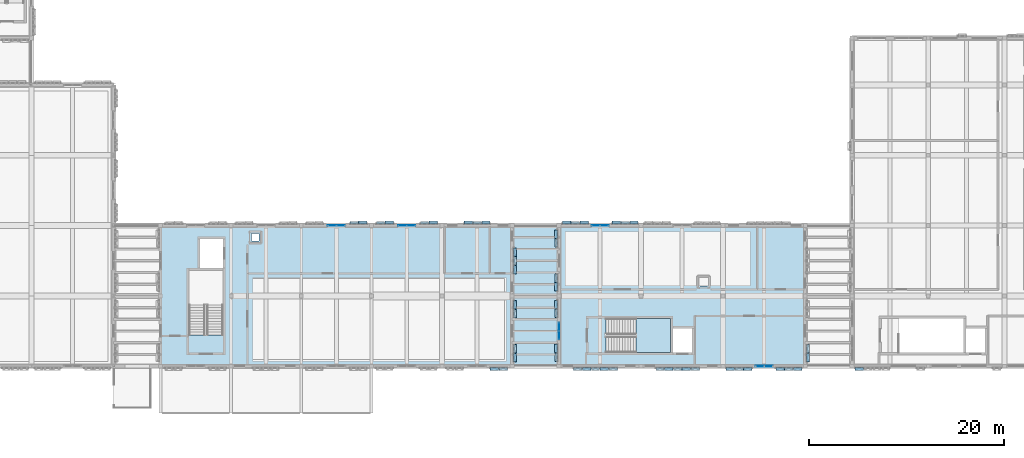
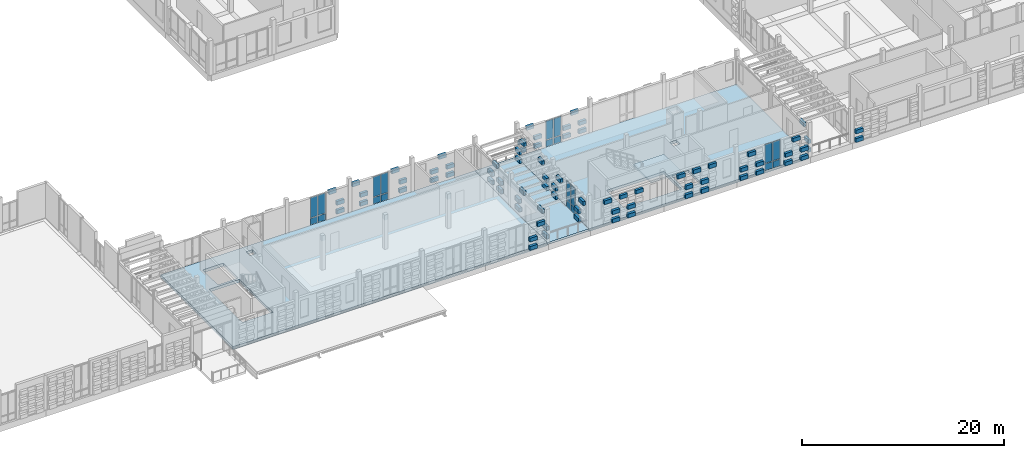
# One storey, part 48 of 99: 99 plates, 4 slabs, 6 elements without a shape of their own.
"""IFC4 building model written with IfcOpenShell, lengths in metres."""

from ifc_helpers import new_model, si_unit, direction, frame, origin, origin_2d, place, context, subcontext, project, spatial, polyline, rectangle, outline, extrude, material, layer, layer_set, type_object, element, aggregate, save


model = new_model("IFC4")

# Units and contexts
model_context = context("Model", 3, precision=1e-05, world=origin(), true_north=direction((0.0, 1.0)))
body_context = subcontext(model_context, "Body", "Model", "MODEL_VIEW")
ifc_project = project(units=[si_unit("LENGTHUNIT", "METRE"), si_unit("AREAUNIT", "SQUARE_METRE"), si_unit("VOLUMEUNIT", "CUBIC_METRE"), si_unit("PLANEANGLEUNIT", "RADIAN"), si_unit("MASSUNIT", "GRAM", prefix="KILO")], contexts=[model_context])

# Site, building, storey
site_placement = place(None, origin())
site = spatial("IfcSite", under=ifc_project, at=site_placement, CompositionType="ELEMENT")
building_placement = place(site_placement, origin())
building = spatial("IfcBuilding", under=site, at=building_placement, Name="Kahlenmark Community Centre", CompositionType="ELEMENT")
storey_placement = place(building_placement, frame((0.0, 0.0, 5.39990234375)))
storey = spatial("IfcBuildingStorey", under=building, at=storey_placement, Name="L01", CompositionType="ELEMENT", Elevation=5.39990234375)

# Curtain wall, plates
ifc_material_1 = material(Name="Anodised aluminium unitised curtain wall", Category="aluminium")
curtain_wall_type_1 = type_object("IfcCurtainWallType", Name="CWT-UNIT-180X321", PredefinedType="USERDEFINED", material=ifc_material_1)
curtain_wall_1_placement = place(storey_placement, origin())
curtain_wall_1 = element("IfcCurtainWall", 1, at=curtain_wall_1_placement, inside=storey, type_object=curtain_wall_type_1, Name="Unitised curtain wall CW-046", ObjectType="UNITISED CURTAIN WALL", PredefinedType="USERDEFINED")
ifc_material_2 = material(Name="Triple low-e solar-control glass unit", Category="glass")
ifc_layer_1 = layer(ifc_material_2, 0.0439453125)
ifc_layer_set_1 = layer_set([ifc_layer_1], Name="Triple low-e solar-control glass unit")
plate_type_1 = type_object("IfcPlateType", Name="PLT-CW-GLZ-820X2280", PredefinedType="CURTAIN_PANEL", material=ifc_layer_set_1)
plate_1_placement = place(storey_placement, frame((112.14990234375, 8.800048828125, 0.89013671875), z_axis=(0.0, 0.0, 1.0), x_axis=(1.0, 0.0, 0.0)))
plate_1 = element("IfcPlate", 2, at=plate_1_placement, type_object=plate_type_1, Name="CW-046 glazed panel 1", PredefinedType="CURTAIN_PANEL", context=body_context, shape_type="SweptSolid", body=[
    extrude(rectangle(XDim=0.820068359375, YDim=0.0439453125, at=origin_2d()), origin(), (0.0, 0.0, 1.0), 2.280029296875),
])
plate_2_placement = place(storey_placement, frame((113.050048828125, 8.800048828125, 0.89013671875), z_axis=(0.0, 0.0, 1.0), x_axis=(1.0, 0.0, 0.0)))
plate_2 = element("IfcPlate", 3, at=plate_2_placement, type_object=plate_type_1, Name="CW-046 glazed panel 2", PredefinedType="CURTAIN_PANEL", context=body_context, shape_type="SweptSolid", body=[
    extrude(rectangle(XDim=0.820068359375, YDim=0.0439453125, at=origin_2d()), origin(), (0.0, 0.0, 1.0), 2.280029296875),
])

curtain_wall_2_placement = place(storey_placement, origin())
curtain_wall_2 = element("IfcCurtainWall", 4, at=curtain_wall_2_placement, inside=storey, type_object=curtain_wall_type_1, Name="Unitised curtain wall CW-047", ObjectType="UNITISED CURTAIN WALL", PredefinedType="USERDEFINED")
plate_3_placement = place(storey_placement, frame((96.25, 23.199951171875, 0.89013671875), z_axis=(0.0, 0.0, 1.0), x_axis=(-1.0, 0.0, 0.0)))
plate_3 = element("IfcPlate", 5, at=plate_3_placement, type_object=plate_type_1, Name="CW-047 glazed panel 1", PredefinedType="CURTAIN_PANEL", context=body_context, shape_type="SweptSolid", body=[
    extrude(rectangle(XDim=0.820068359375, YDim=0.0439453125, at=origin_2d()), origin(), (0.0, 0.0, 1.0), 2.280029296875),
])
plate_4_placement = place(storey_placement, frame((95.35009765625, 23.199951171875, 0.89013671875), z_axis=(0.0, 0.0, 1.0), x_axis=(-1.0, 0.0, 0.0)))
plate_4 = element("IfcPlate", 6, at=plate_4_placement, type_object=plate_type_1, Name="CW-047 glazed panel 2", PredefinedType="CURTAIN_PANEL", context=body_context, shape_type="SweptSolid", body=[
    extrude(rectangle(XDim=0.820068359375, YDim=0.0439453125, at=origin_2d()), origin(), (0.0, 0.0, 1.0), 2.280029296875),
])

curtain_wall_3_placement = place(storey_placement, origin())
curtain_wall_3 = element("IfcCurtainWall", 7, at=curtain_wall_3_placement, inside=storey, type_object=curtain_wall_type_1, Name="Unitised curtain wall CW-049", ObjectType="UNITISED CURTAIN WALL", PredefinedType="USERDEFINED")
plate_5_placement = place(storey_placement, frame((91.60009765625, 12.85009765625, 0.89013671875), z_axis=(0.0, 0.0, 1.0), x_axis=(0.0, -1.0, 0.0)))
plate_5 = element("IfcPlate", 8, at=plate_5_placement, type_object=plate_type_1, Name="CW-049 glazed panel 1", PredefinedType="CURTAIN_PANEL", context=body_context, shape_type="SweptSolid", body=[
    extrude(rectangle(XDim=0.820068359375, YDim=0.0439453125, at=origin_2d()), origin(), (0.0, 0.0, 1.0), 2.280029296875),
])
plate_6_placement = place(storey_placement, frame((91.60009765625, 11.949951171875, 0.89013671875), z_axis=(0.0, 0.0, 1.0), x_axis=(0.0, -1.0, 0.0)))
plate_6 = element("IfcPlate", 9, at=plate_6_placement, type_object=plate_type_1, Name="CW-049 glazed panel 2", PredefinedType="CURTAIN_PANEL", context=body_context, shape_type="SweptSolid", body=[
    extrude(rectangle(XDim=0.820068359375, YDim=0.0439453125, at=origin_2d()), origin(), (0.0, 0.0, 1.0), 2.280029296875),
])

curtain_wall_type_2 = type_object("IfcCurtainWallType", Name="CWT-UNIT-180X337", PredefinedType="USERDEFINED", material=ifc_material_1)
curtain_wall_4_placement = place(storey_placement, origin())
curtain_wall_4 = element("IfcCurtainWall", 10, at=curtain_wall_4_placement, inside=storey, type_object=curtain_wall_type_2, Name="Unitised curtain wall CW-025", ObjectType="UNITISED CURTAIN WALL", PredefinedType="USERDEFINED")
ifc_layer_2 = layer(ifc_material_2, 0.0439453125)
ifc_layer_set_2 = layer_set([ifc_layer_2], Name="Triple low-e solar-control glass unit")
plate_type_2 = type_object("IfcPlateType", Name="PLT-CW-GLZ-820X2440", PredefinedType="CURTAIN_PANEL", material=ifc_layer_set_2)
plate_7_placement = place(storey_placement, frame((69.25, 23.199951171875, 0.89013671875), z_axis=(0.0, 0.0, 1.0), x_axis=(-1.0, 0.0, 0.0)))
plate_7 = element("IfcPlate", 11, at=plate_7_placement, type_object=plate_type_2, Name="CW-025 glazed panel 1", PredefinedType="CURTAIN_PANEL", context=body_context, shape_type="SweptSolid", body=[
    extrude(rectangle(XDim=0.820068359375, YDim=0.0439453125, at=origin_2d()), origin(), (0.0, 0.0, 1.0), 2.43994140625),
])
plate_8_placement = place(storey_placement, frame((68.35009765625, 23.199951171875, 0.89013671875), z_axis=(0.0, 0.0, 1.0), x_axis=(-1.0, 0.0, 0.0)))
plate_8 = element("IfcPlate", 12, at=plate_8_placement, type_object=plate_type_2, Name="CW-025 glazed panel 2", PredefinedType="CURTAIN_PANEL", context=body_context, shape_type="SweptSolid", body=[
    extrude(rectangle(XDim=0.820068359375, YDim=0.0439453125, at=origin_2d()), origin(), (0.0, 0.0, 1.0), 2.43994140625),
])

curtain_wall_5_placement = place(storey_placement, origin())
curtain_wall_5 = element("IfcCurtainWall", 13, at=curtain_wall_5_placement, inside=storey, type_object=curtain_wall_type_2, Name="Unitised curtain wall CW-026", ObjectType="UNITISED CURTAIN WALL", PredefinedType="USERDEFINED")
plate_9_placement = place(storey_placement, frame((76.449951171875, 23.199951171875, 0.89013671875), z_axis=(0.0, 0.0, 1.0), x_axis=(-1.0, 0.0, 0.0)))
plate_9 = element("IfcPlate", 14, at=plate_9_placement, type_object=plate_type_2, Name="CW-026 glazed panel 1", PredefinedType="CURTAIN_PANEL", context=body_context, shape_type="SweptSolid", body=[
    extrude(rectangle(XDim=0.820068359375, YDim=0.0439453125, at=origin_2d()), origin(), (0.0, 0.0, 1.0), 2.43994140625),
])
plate_10_placement = place(storey_placement, frame((75.550048828125, 23.199951171875, 0.89013671875), z_axis=(0.0, 0.0, 1.0), x_axis=(-1.0, 0.0, 0.0)))
plate_10 = element("IfcPlate", 15, at=plate_10_placement, type_object=plate_type_2, Name="CW-026 glazed panel 2", PredefinedType="CURTAIN_PANEL", context=body_context, shape_type="SweptSolid", body=[
    extrude(rectangle(XDim=0.820068359375, YDim=0.0439453125, at=origin_2d()), origin(), (0.0, 0.0, 1.0), 2.43994140625),
])

# Plate
ifc_material_3 = material(Name="Warm terracotta insulated spandrel cassette", Category="masonry")
ifc_layer_3 = layer(ifc_material_3, 0.06005859375)
ifc_layer_set_3 = layer_set([ifc_layer_3], Name="Warm terracotta insulated spandrel cassette")
plate_type_3 = type_object("IfcPlateType", Name="PLT-CW-SPD-820X770", PredefinedType="CURTAIN_PANEL", material=ifc_layer_set_3)
plate_11_placement = place(storey_placement, frame((69.25, 23.199951171875, 0.0400390625), z_axis=(0.0, 0.0, 1.0), x_axis=(-1.0, 0.0, 0.0)))
plate_11 = element("IfcPlate", 16, at=plate_11_placement, type_object=plate_type_3, Name="CW-025 spandrel 1", PredefinedType="CURTAIN_PANEL", context=body_context, shape_type="SweptSolid", body=[
    extrude(rectangle(XDim=0.820068359375, YDim=0.06005859375, at=origin_2d()), origin(), (0.0, 0.0, 1.0), 0.77001953125),
])

plate_12_placement = place(storey_placement, frame((68.35009765625, 23.199951171875, 0.0400390625), z_axis=(0.0, 0.0, 1.0), x_axis=(-1.0, 0.0, 0.0)))
plate_12 = element("IfcPlate", 17, at=plate_12_placement, type_object=plate_type_3, Name="CW-025 spandrel 2", PredefinedType="CURTAIN_PANEL", context=body_context, shape_type="SweptSolid", body=[
    extrude(rectangle(XDim=0.820068359375, YDim=0.06005859375, at=origin_2d()), origin(), (0.0, 0.0, 1.0), 0.77001953125),
])

aggregate(curtain_wall_4, [plate_11, plate_7, plate_12, plate_8])

plate_13_placement = place(storey_placement, frame((76.449951171875, 23.199951171875, 0.0400390625), z_axis=(0.0, 0.0, 1.0), x_axis=(-1.0, 0.0, 0.0)))
plate_13 = element("IfcPlate", 18, at=plate_13_placement, type_object=plate_type_3, Name="CW-026 spandrel 1", PredefinedType="CURTAIN_PANEL", context=body_context, shape_type="SweptSolid", body=[
    extrude(rectangle(XDim=0.820068359375, YDim=0.06005859375, at=origin_2d()), origin(), (0.0, 0.0, 1.0), 0.77001953125),
])

plate_14_placement = place(storey_placement, frame((75.550048828125, 23.199951171875, 0.0400390625), z_axis=(0.0, 0.0, 1.0), x_axis=(-1.0, 0.0, 0.0)))
plate_14 = element("IfcPlate", 19, at=plate_14_placement, type_object=plate_type_3, Name="CW-026 spandrel 2", PredefinedType="CURTAIN_PANEL", context=body_context, shape_type="SweptSolid", body=[
    extrude(rectangle(XDim=0.820068359375, YDim=0.06005859375, at=origin_2d()), origin(), (0.0, 0.0, 1.0), 0.77001953125),
])

aggregate(curtain_wall_5, [plate_13, plate_9, plate_14, plate_10])

plate_15_placement = place(storey_placement, frame((112.14990234375, 8.800048828125, 0.0400390625), z_axis=(0.0, 0.0, 1.0), x_axis=(1.0, 0.0, 0.0)))
plate_15 = element("IfcPlate", 20, at=plate_15_placement, type_object=plate_type_3, Name="CW-046 spandrel 1", PredefinedType="CURTAIN_PANEL", context=body_context, shape_type="SweptSolid", body=[
    extrude(rectangle(XDim=0.820068359375, YDim=0.06005859375, at=origin_2d()), origin(), (0.0, 0.0, 1.0), 0.77001953125),
])

plate_16_placement = place(storey_placement, frame((113.050048828125, 8.800048828125, 0.0400390625), z_axis=(0.0, 0.0, 1.0), x_axis=(1.0, 0.0, 0.0)))
plate_16 = element("IfcPlate", 21, at=plate_16_placement, type_object=plate_type_3, Name="CW-046 spandrel 2", PredefinedType="CURTAIN_PANEL", context=body_context, shape_type="SweptSolid", body=[
    extrude(rectangle(XDim=0.820068359375, YDim=0.06005859375, at=origin_2d()), origin(), (0.0, 0.0, 1.0), 0.77001953125),
])

aggregate(curtain_wall_1, [plate_15, plate_1, plate_16, plate_2])

plate_17_placement = place(storey_placement, frame((96.25, 23.199951171875, 0.0400390625), z_axis=(0.0, 0.0, 1.0), x_axis=(-1.0, 0.0, 0.0)))
plate_17 = element("IfcPlate", 22, at=plate_17_placement, type_object=plate_type_3, Name="CW-047 spandrel 1", PredefinedType="CURTAIN_PANEL", context=body_context, shape_type="SweptSolid", body=[
    extrude(rectangle(XDim=0.820068359375, YDim=0.06005859375, at=origin_2d()), origin(), (0.0, 0.0, 1.0), 0.77001953125),
])

plate_18_placement = place(storey_placement, frame((95.35009765625, 23.199951171875, 0.0400390625), z_axis=(0.0, 0.0, 1.0), x_axis=(-1.0, 0.0, 0.0)))
plate_18 = element("IfcPlate", 23, at=plate_18_placement, type_object=plate_type_3, Name="CW-047 spandrel 2", PredefinedType="CURTAIN_PANEL", context=body_context, shape_type="SweptSolid", body=[
    extrude(rectangle(XDim=0.820068359375, YDim=0.06005859375, at=origin_2d()), origin(), (0.0, 0.0, 1.0), 0.77001953125),
])

aggregate(curtain_wall_2, [plate_17, plate_3, plate_18, plate_4])

plate_19_placement = place(storey_placement, frame((91.60009765625, 12.85009765625, 0.0400390625), z_axis=(0.0, 0.0, 1.0), x_axis=(0.0, -1.0, 0.0)))
plate_19 = element("IfcPlate", 24, at=plate_19_placement, type_object=plate_type_3, Name="CW-049 spandrel 1", PredefinedType="CURTAIN_PANEL", context=body_context, shape_type="SweptSolid", body=[
    extrude(rectangle(XDim=0.820068359375, YDim=0.06005859375, at=origin_2d()), origin(), (0.0, 0.0, 1.0), 0.77001953125),
])

plate_20_placement = place(storey_placement, frame((91.60009765625, 11.949951171875, 0.0400390625), z_axis=(0.0, 0.0, 1.0), x_axis=(0.0, -1.0, 0.0)))
plate_20 = element("IfcPlate", 25, at=plate_20_placement, type_object=plate_type_3, Name="CW-049 spandrel 2", PredefinedType="CURTAIN_PANEL", context=body_context, shape_type="SweptSolid", body=[
    extrude(rectangle(XDim=0.820068359375, YDim=0.06005859375, at=origin_2d()), origin(), (0.0, 0.0, 1.0), 0.77001953125),
])

aggregate(curtain_wall_3, [plate_19, plate_5, plate_20, plate_6])

# Plates
ifc_material_4 = material(Name="Extruded glazed terracotta weave cassette", Category="masonry")
ifc_layer_4 = layer(ifc_material_4, 0.300048828125)
ifc_layer_set_4 = layer_set([ifc_layer_4], Name="Extruded glazed terracotta weave cassette")
plate_type_4 = type_object("IfcPlateType", Name="PLT-TC-TC-R34-840X300X468", PredefinedType="SHEET", material=ifc_layer_set_4)
for number, where, z_axis, x_axis, name in (
    (26, (84.97998046875, 8.5, 1.1162109375), (0.0, 0.0, 1.0), (1.0, 0.0, 0.0), "Basketweave terracotta cassette 1039"),
    (27, (84.1201171875, 23.5, 1.1162109375), (0.0, 0.0, 1.0), (-1.0, 0.0, 0.0), "Basketweave terracotta cassette 1147"),
    (28, (82.320068359375, 23.5, 1.1162109375), (0.0, 0.0, 1.0), (-1.0, 0.0, 0.0), "Basketweave terracotta cassette 1159"),
    (29, (87.10009765625, 9.679931640625, 1.1162109375), (0.0, 0.0, 1.0), (0.0, 1.0, 0.0), "Basketweave terracotta cassette 1213"),
    (30, (87.10009765625, 15.080078125, 1.1162109375), (0.0, 0.0, 1.0), (0.0, 1.0, 0.0), "Basketweave terracotta cassette 1231"),
    (31, (87.10009765625, 18.679931640625, 1.1162109375), (0.0, 0.0, 1.0), (0.0, 1.0, 0.0), "Basketweave terracotta cassette 1237"),
    (32, (87.10009765625, 20.47998046875, 1.1162109375), (0.0, 0.0, 1.0), (0.0, 1.0, 0.0), "Basketweave terracotta cassette 1249"),
    (33, (94.429931640625, 8.5, 1.1162109375), (0.0, 0.0, 1.0), (1.0, 0.0, 0.0), "Basketweave terracotta cassette 1261"),
    (34, (96.22998046875, 8.5, 1.1162109375), (0.0, 0.0, 1.0), (1.0, 0.0, 0.0), "Basketweave terracotta cassette 1273"),
    (35, (109.1298828125, 8.5, 1.1162109375), (0.0, 0.0, 1.0), (1.0, 0.0, 0.0), "Basketweave terracotta cassette 1315"),
    (36, (110.929931640625, 8.5, 1.1162109375), (0.0, 0.0, 1.0), (1.0, 0.0, 0.0), "Basketweave terracotta cassette 1327"),
    (37, (114.22998046875, 8.5, 1.1162109375), (0.0, 0.0, 1.0), (1.0, 0.0, 0.0), "Basketweave terracotta cassette 1333"),
    (38, (116.030029296875, 8.5, 1.1162109375), (0.0, 0.0, 1.0), (1.0, 0.0, 0.0), "Basketweave terracotta cassette 1345"),
    (39, (99.27001953125, 23.5, 1.1162109375), (0.0, 0.0, 1.0), (-1.0, 0.0, 0.0), "Basketweave terracotta cassette 1351"),
    (40, (97.469970703125, 23.5, 1.1162109375), (0.0, 0.0, 1.0), (-1.0, 0.0, 0.0), "Basketweave terracotta cassette 1363"),
    (41, (94.169921875, 23.5, 1.1162109375), (0.0, 0.0, 1.0), (-1.0, 0.0, 0.0), "Basketweave terracotta cassette 1369"),
    (42, (92.3701171875, 23.5, 1.1162109375), (0.0, 0.0, 1.0), (-1.0, 0.0, 0.0), "Basketweave terracotta cassette 1381"),
    (43, (91.300048828125, 15.1201171875, 1.1162109375), (0.0, 0.0, 1.0), (0.0, -1.0, 0.0), "Basketweave terracotta cassette 1453"),
    (44, (91.300048828125, 10.6201171875, 1.1162109375), (0.0, 0.0, 1.0), (0.0, -1.0, 0.0), "Basketweave terracotta cassette 1465"),
    (45, (91.300048828125, 22.320068359375, 1.1162109375), (0.0, 0.0, 1.0), (0.0, -1.0, 0.0), "Basketweave terracotta cassette 1477"),
    (46, (91.300048828125, 16.919921875, 1.1162109375), (0.0, 0.0, 1.0), (0.0, -1.0, 0.0), "Basketweave terracotta cassette 1495"),
    (47, (117.10009765625, 9.679931640625, 1.1162109375), (0.0, 0.0, 1.0), (0.0, 1.0, 0.0), "Basketweave terracotta cassette 1501"),
    (48, (122.330078125, 8.5, 1.1162109375), (0.0, 0.0, 1.0), (1.0, 0.0, 0.0), "Basketweave terracotta cassette 1543"),
):
    element("IfcPlate", number, at=place(storey_placement, frame(where, z_axis=z_axis, x_axis=x_axis)), inside=storey, type_object=plate_type_4, Name=name, PredefinedType="SHEET", context=body_context, shape_type="SweptSolid", body=[
        extrude(rectangle(XDim=0.840087890625, YDim=0.300048828125, at=origin_2d()), origin(), (0.0, 0.0, 1.0), 0.468017578125),
    ])
ifc_layer_5 = layer(ifc_material_4, 0.300048828125)
ifc_layer_set_5 = layer_set([ifc_layer_5], Name="Extruded glazed terracotta weave cassette")
plate_type_5 = type_object("IfcPlateType", Name="PLT-TC-TC-R34-840X300X495", PredefinedType="SHEET", material=ifc_layer_set_5)
for number, where, z_axis, x_axis, name in (
    (49, (71.52001953125, 23.5, 1.169921875), (0.0, 0.0, 1.0), (-1.0, 0.0, 0.0), "Basketweave terracotta cassette 1099"),
    (50, (78.719970703125, 23.5, 1.169921875), (0.0, 0.0, 1.0), (-1.0, 0.0, 0.0), "Basketweave terracotta cassette 1123"),
    (51, (74.219970703125, 23.5, 1.169921875), (0.0, 0.0, 1.0), (-1.0, 0.0, 0.0), "Basketweave terracotta cassette 1135"),
    (52, (102.830078125, 8.5, 1.169921875), (0.0, 0.0, 1.0), (1.0, 0.0, 0.0), "Basketweave terracotta cassette 1291"),
    (53, (104.6298828125, 8.5, 1.169921875), (0.0, 0.0, 1.0), (1.0, 0.0, 0.0), "Basketweave terracotta cassette 1303"),
):
    element("IfcPlate", number, at=place(storey_placement, frame(where, z_axis=z_axis, x_axis=x_axis)), inside=storey, type_object=plate_type_5, Name=name, PredefinedType="SHEET", context=body_context, shape_type="SweptSolid", body=[
        extrude(rectangle(XDim=0.840087890625, YDim=0.300048828125, at=origin_2d()), origin(), (0.0, 0.0, 1.0), 0.4951171875),
    ])
ifc_layer_6 = layer(ifc_material_4, 0.300048828125)
ifc_layer_set_6 = layer_set([ifc_layer_6], Name="Extruded glazed terracotta weave cassette")
plate_type_6 = type_object("IfcPlateType", Name="PLT-TC-TC-R34-860X300X468", PredefinedType="SHEET", material=ifc_layer_set_6)
for number, where, z_axis, x_axis, name in (
    (54, (84.97998046875, 8.5, 0.10009765625), (0.0, 0.0, 1.0), (1.0, 0.0, 0.0), "Basketweave terracotta cassette 1037"),
    (55, (84.1201171875, 23.5, 0.10009765625), (0.0, 0.0, 1.0), (-1.0, 0.0, 0.0), "Basketweave terracotta cassette 1145"),
    (56, (82.320068359375, 23.5, 0.10009765625), (0.0, 0.0, 1.0), (-1.0, 0.0, 0.0), "Basketweave terracotta cassette 1157"),
    (57, (87.10009765625, 9.679931640625, 0.10009765625), (0.0, 0.0, 1.0), (0.0, 1.0, 0.0), "Basketweave terracotta cassette 1211"),
    (58, (87.10009765625, 15.080078125, 0.10009765625), (0.0, 0.0, 1.0), (0.0, 1.0, 0.0), "Basketweave terracotta cassette 1229"),
    (59, (87.10009765625, 18.679931640625, 0.10009765625), (0.0, 0.0, 1.0), (0.0, 1.0, 0.0), "Basketweave terracotta cassette 1235"),
    (60, (87.10009765625, 20.47998046875, 0.10009765625), (0.0, 0.0, 1.0), (0.0, 1.0, 0.0), "Basketweave terracotta cassette 1247"),
    (61, (94.429931640625, 8.5, 0.10009765625), (0.0, 0.0, 1.0), (1.0, 0.0, 0.0), "Basketweave terracotta cassette 1259"),
    (62, (96.22998046875, 8.5, 0.10009765625), (0.0, 0.0, 1.0), (1.0, 0.0, 0.0), "Basketweave terracotta cassette 1271"),
    (63, (109.1298828125, 8.5, 0.10009765625), (0.0, 0.0, 1.0), (1.0, 0.0, 0.0), "Basketweave terracotta cassette 1313"),
    (64, (110.929931640625, 8.5, 0.10009765625), (0.0, 0.0, 1.0), (1.0, 0.0, 0.0), "Basketweave terracotta cassette 1325"),
    (65, (114.22998046875, 8.5, 0.10009765625), (0.0, 0.0, 1.0), (1.0, 0.0, 0.0), "Basketweave terracotta cassette 1331"),
    (66, (116.030029296875, 8.5, 0.10009765625), (0.0, 0.0, 1.0), (1.0, 0.0, 0.0), "Basketweave terracotta cassette 1343"),
    (67, (99.27001953125, 23.5, 0.10009765625), (0.0, 0.0, 1.0), (-1.0, 0.0, 0.0), "Basketweave terracotta cassette 1349"),
    (68, (97.469970703125, 23.5, 0.10009765625), (0.0, 0.0, 1.0), (-1.0, 0.0, 0.0), "Basketweave terracotta cassette 1361"),
    (69, (94.169921875, 23.5, 0.10009765625), (0.0, 0.0, 1.0), (-1.0, 0.0, 0.0), "Basketweave terracotta cassette 1367"),
    (70, (92.3701171875, 23.5, 0.10009765625), (0.0, 0.0, 1.0), (-1.0, 0.0, 0.0), "Basketweave terracotta cassette 1379"),
    (71, (91.300048828125, 15.1201171875, 0.10009765625), (0.0, 0.0, 1.0), (0.0, -1.0, 0.0), "Basketweave terracotta cassette 1451"),
    (72, (91.300048828125, 10.6201171875, 0.10009765625), (0.0, 0.0, 1.0), (0.0, -1.0, 0.0), "Basketweave terracotta cassette 1463"),
    (73, (91.300048828125, 22.320068359375, 0.10009765625), (0.0, 0.0, 1.0), (0.0, -1.0, 0.0), "Basketweave terracotta cassette 1475"),
    (74, (91.300048828125, 16.919921875, 0.10009765625), (0.0, 0.0, 1.0), (0.0, -1.0, 0.0), "Basketweave terracotta cassette 1493"),
    (75, (117.10009765625, 9.679931640625, 0.10009765625), (0.0, 0.0, 1.0), (0.0, 1.0, 0.0), "Basketweave terracotta cassette 1499"),
    (76, (122.330078125, 8.5, 0.10009765625), (0.0, 0.0, 1.0), (1.0, 0.0, 0.0), "Basketweave terracotta cassette 1541"),
):
    element("IfcPlate", number, at=place(storey_placement, frame(where, z_axis=z_axis, x_axis=x_axis)), inside=storey, type_object=plate_type_6, Name=name, PredefinedType="SHEET", context=body_context, shape_type="SweptSolid", body=[
        extrude(rectangle(XDim=0.860107421875, YDim=0.300048828125, at=origin_2d()), origin(), (0.0, 0.0, 1.0), 0.468017578125),
    ])
ifc_layer_7 = layer(ifc_material_4, 0.300048828125)
ifc_layer_set_7 = layer_set([ifc_layer_7], Name="Extruded glazed terracotta weave cassette")
plate_type_7 = type_object("IfcPlateType", Name="PLT-TC-TC-R34-860X300X495", PredefinedType="SHEET", material=ifc_layer_set_7)
for number, where, z_axis, x_axis, name in (
    (77, (71.52001953125, 23.5, 0.10009765625), (0.0, 0.0, 1.0), (-1.0, 0.0, 0.0), "Basketweave terracotta cassette 1097"),
    (78, (78.719970703125, 23.5, 0.10009765625), (0.0, 0.0, 1.0), (-1.0, 0.0, 0.0), "Basketweave terracotta cassette 1121"),
    (79, (74.219970703125, 23.5, 0.10009765625), (0.0, 0.0, 1.0), (-1.0, 0.0, 0.0), "Basketweave terracotta cassette 1133"),
    (80, (102.830078125, 8.5, 0.10009765625), (0.0, 0.0, 1.0), (1.0, 0.0, 0.0), "Basketweave terracotta cassette 1289"),
    (81, (104.6298828125, 8.5, 0.10009765625), (0.0, 0.0, 1.0), (1.0, 0.0, 0.0), "Basketweave terracotta cassette 1301"),
):
    element("IfcPlate", number, at=place(storey_placement, frame(where, z_axis=z_axis, x_axis=x_axis)), inside=storey, type_object=plate_type_7, Name=name, PredefinedType="SHEET", context=body_context, shape_type="SweptSolid", body=[
        extrude(rectangle(XDim=0.860107421875, YDim=0.300048828125, at=origin_2d()), origin(), (0.0, 0.0, 1.0), 0.4951171875),
    ])
ifc_layer_8 = layer(ifc_material_4, 0.280029296875)
ifc_layer_set_8 = layer_set([ifc_layer_8], Name="Extruded glazed terracotta weave cassette")
plate_type_8 = type_object("IfcPlateType", Name="PLT-TC-TC-W30-860X280X468", PredefinedType="SHEET", material=ifc_layer_set_8)
for number, where, z_axis, x_axis, name in (
    (82, (85.8798828125, 8.510009765625, 2.64013671875), (0.0, 0.0, 1.0), (1.0, 0.0, 0.0), "Basketweave terracotta cassette 1048"),
    (83, (83.219970703125, 23.489990234375, 2.64013671875), (0.0, 0.0, 1.0), (-1.0, 0.0, 0.0), "Basketweave terracotta cassette 1156"),
    (84, (87.090087890625, 10.580078125, 2.64013671875), (0.0, 0.0, 1.0), (0.0, 1.0, 0.0), "Basketweave terracotta cassette 1222"),
    (85, (87.090087890625, 14.179931640625, 2.64013671875), (0.0, 0.0, 1.0), (0.0, 1.0, 0.0), "Basketweave terracotta cassette 1228"),
    (86, (87.090087890625, 19.580078125, 2.64013671875), (0.0, 0.0, 1.0), (0.0, 1.0, 0.0), "Basketweave terracotta cassette 1246"),
    (87, (93.530029296875, 8.510009765625, 2.64013671875), (0.0, 0.0, 1.0), (1.0, 0.0, 0.0), "Basketweave terracotta cassette 1258"),
    (88, (95.330078125, 8.510009765625, 2.64013671875), (0.0, 0.0, 1.0), (1.0, 0.0, 0.0), "Basketweave terracotta cassette 1270"),
    (89, (97.1298828125, 8.510009765625, 2.64013671875), (0.0, 0.0, 1.0), (1.0, 0.0, 0.0), "Basketweave terracotta cassette 1282"),
    (90, (110.030029296875, 8.510009765625, 2.64013671875), (0.0, 0.0, 1.0), (1.0, 0.0, 0.0), "Basketweave terracotta cassette 1324"),
    (91, (115.1298828125, 8.510009765625, 2.64013671875), (0.0, 0.0, 1.0), (1.0, 0.0, 0.0), "Basketweave terracotta cassette 1342"),
    (92, (98.3701171875, 23.489990234375, 2.64013671875), (0.0, 0.0, 1.0), (-1.0, 0.0, 0.0), "Basketweave terracotta cassette 1360"),
    (93, (93.27001953125, 23.489990234375, 2.64013671875), (0.0, 0.0, 1.0), (-1.0, 0.0, 0.0), "Basketweave terracotta cassette 1378"),
    (94, (91.31005859375, 14.219970703125, 2.64013671875), (0.0, 0.0, 1.0), (0.0, -1.0, 0.0), "Basketweave terracotta cassette 1462"),
    (95, (91.31005859375, 9.719970703125, 2.64013671875), (0.0, 0.0, 1.0), (0.0, -1.0, 0.0), "Basketweave terracotta cassette 1474"),
    (96, (91.31005859375, 21.419921875, 2.64013671875), (0.0, 0.0, 1.0), (0.0, -1.0, 0.0), "Basketweave terracotta cassette 1486"),
    (97, (91.31005859375, 17.820068359375, 2.64013671875), (0.0, 0.0, 1.0), (0.0, -1.0, 0.0), "Basketweave terracotta cassette 1492"),
    (98, (117.090087890625, 10.580078125, 2.64013671875), (0.0, 0.0, 1.0), (0.0, 1.0, 0.0), "Basketweave terracotta cassette 1510"),
):
    element("IfcPlate", number, at=place(storey_placement, frame(where, z_axis=z_axis, x_axis=x_axis)), inside=storey, type_object=plate_type_8, Name=name, PredefinedType="SHEET", context=body_context, shape_type="SweptSolid", body=[
        extrude(rectangle(XDim=0.860107421875, YDim=0.280029296875, at=origin_2d()), origin(), (0.0, 0.0, 1.0), 0.468017578125),
    ])
ifc_layer_9 = layer(ifc_material_4, 0.280029296875)
ifc_layer_set_9 = layer_set([ifc_layer_9], Name="Extruded glazed terracotta weave cassette")
plate_type_9 = type_object("IfcPlateType", Name="PLT-TC-TC-W30-860X280X495", PredefinedType="SHEET", material=ifc_layer_set_9)
for number, where, z_axis, x_axis, name in (
    (99, (70.6201171875, 23.489990234375, 2.775146484375), (0.0, 0.0, 1.0), (-1.0, 0.0, 0.0), "Basketweave terracotta cassette 1108"),
    (100, (77.820068359375, 23.489990234375, 2.775146484375), (0.0, 0.0, 1.0), (-1.0, 0.0, 0.0), "Basketweave terracotta cassette 1132"),
    (101, (73.320068359375, 23.489990234375, 2.775146484375), (0.0, 0.0, 1.0), (-1.0, 0.0, 0.0), "Basketweave terracotta cassette 1144"),
    (102, (101.929931640625, 8.510009765625, 2.775146484375), (0.0, 0.0, 1.0), (1.0, 0.0, 0.0), "Basketweave terracotta cassette 1288"),
    (103, (103.72998046875, 8.510009765625, 2.775146484375), (0.0, 0.0, 1.0), (1.0, 0.0, 0.0), "Basketweave terracotta cassette 1300"),
    (104, (105.530029296875, 8.510009765625, 2.775146484375), (0.0, 0.0, 1.0), (1.0, 0.0, 0.0), "Basketweave terracotta cassette 1312"),
):
    element("IfcPlate", number, at=place(storey_placement, frame(where, z_axis=z_axis, x_axis=x_axis)), inside=storey, type_object=plate_type_9, Name=name, PredefinedType="SHEET", context=body_context, shape_type="SweptSolid", body=[
        extrude(rectangle(XDim=0.860107421875, YDim=0.280029296875, at=origin_2d()), origin(), (0.0, 0.0, 1.0), 0.4951171875),
    ])

# Stair, slab
ifc_material_5 = material(Name="Concrete C35/45", Category="concrete")
stair_type = type_object("IfcStairType", Name="STT-CORE-ST-07-175", PredefinedType="HALF_TURN_STAIR", material=ifc_material_5)
stair_placement = place(storey_placement, origin())
stair = element("IfcStair", 105, at=stair_placement, inside=storey, type_object=stair_type, Name="L01 Core K7 Escape Stair ST-07", PredefinedType="HALF_TURN_STAIR")
ifc_layer_10 = layer(ifc_material_5, 0.199951171875)
ifc_layer_set_10 = layer_set([ifc_layer_10], Name="Concrete C35/45")
slab_type_1 = type_object("IfcSlabType", Name="SLT-CORE-200", PredefinedType="LANDING", material=ifc_layer_set_10)
slab_1_placement = place(storey_placement, frame((0.0, 0.0, 1.900146484375)))
slab_1 = element("IfcSlab", 106, at=slab_1_placement, type_object=slab_type_1, Name="ST-07 landing 1", PredefinedType="LANDING", context=body_context, shape_type="SweptSolid", body=[
    extrude(outline(polyline([(99.47998046875, 10.199951171875), (103.0, 10.199951171875), (103.0, 13.699951171875), (99.47998046875, 13.699951171875), (99.47998046875, 10.199951171875)])), origin(), (0.0, 0.0, 1.0), 0.199951171875),
])
aggregate(stair, [slab_1])

# Slabs
ifc_layer_11 = layer(ifc_material_5, 0.320068359375)
ifc_layer_set_11 = layer_set([ifc_layer_11], Name="Concrete C35/45")
slab_type_2 = type_object("IfcSlabType", Name="ST-FL-RC320", PredefinedType="FLOOR", material=ifc_layer_set_11)
slab_2_placement = place(storey_placement, frame((0.0, 0.0, -0.31982421875)))
element("IfcSlab", 107, at=slab_2_placement, inside=storey, type_object=slab_type_2, Name="L01 suspended floor slab V4W", PredefinedType="FLOOR", context=body_context, shape_type="SweptSolid", body=[
    extrude(outline(polyline([(91.60009765625, 8.800048828125), (116.800048828125, 8.800048828125), (116.800048828125, 23.199951171875), (91.60009765625, 23.199951171875), (91.60009765625, 8.800048828125)]), holes=[polyline([(96.406005859375, 10.2060546875), (102.993896484375, 10.2060546875), (102.993896484375, 13.694091796875), (96.406005859375, 13.694091796875), (96.406005859375, 10.2060546875)]), polyline([(103.256103515625, 10.2060546875), (105.2041015625, 10.2060546875), (105.2041015625, 12.654052734375), (103.256103515625, 12.654052734375), (103.256103515625, 10.2060546875)]), polyline([(106.02587890625, 17.02587890625), (106.77392578125, 17.02587890625), (106.77392578125, 17.77392578125), (106.02587890625, 17.77392578125), (106.02587890625, 17.02587890625)])]), origin(), (0.0, 0.0, 1.0), 0.31982421875),
])
ifc_layer_12 = layer(ifc_material_5, 0.35009765625)
ifc_layer_set_12 = layer_set([ifc_layer_12], Name="Concrete C35/45")
slab_type_3 = type_object("IfcSlabType", Name="ST-FL-RC350", PredefinedType="FLOOR", material=ifc_layer_set_12)
slab_3_placement = place(storey_placement, frame((0.0, 0.0, -0.349853515625)))
element("IfcSlab", 108, at=slab_3_placement, inside=storey, type_object=slab_type_3, Name="L01 suspended floor slab V3", PredefinedType="FLOOR", context=body_context, shape_type="SweptSolid", body=[
    extrude(outline(polyline([(50.800048828125, 8.800048828125), (86.800048828125, 8.800048828125), (86.800048828125, 23.199951171875), (50.800048828125, 23.199951171875), (50.800048828125, 8.800048828125)]), holes=[polyline([(53.7060546875, 12.006103515625), (57.194091796875, 12.006103515625), (57.194091796875, 18.593994140625), (53.7060546875, 18.593994140625), (53.7060546875, 12.006103515625)]), polyline([(54.845947265625, 18.85595703125), (57.194091796875, 18.85595703125), (57.194091796875, 21.803955078125), (54.845947265625, 21.803955078125), (54.845947265625, 18.85595703125)]), polyline([(60.1259765625, 21.6259765625), (60.8740234375, 21.6259765625), (60.8740234375, 22.3740234375), (60.1259765625, 22.3740234375), (60.1259765625, 21.6259765625)])]), origin(), (0.0, 0.0, 1.0), 0.349853515625),
])
ifc_layer_13 = layer(ifc_material_5, 0.260009765625)
ifc_layer_set_13 = layer_set([ifc_layer_13], Name="Concrete C35/45")
slab_type_4 = type_object("IfcSlabType", Name="ST-TER-RC260", PredefinedType="FLOOR", material=ifc_layer_set_13)
slab_4_placement = place(storey_placement, frame((0.0, 0.0, -0.260009765625)))
element("IfcSlab", 109, at=slab_4_placement, inside=storey, type_object=slab_type_4, Name="Podium outdoor terrace TER-L01-EAST1", PredefinedType="FLOOR", context=body_context, shape_type="SweptSolid", body=[
    extrude(outline(polyline([(86.800048828125, 8.800048828125), (91.60009765625, 8.800048828125), (91.60009765625, 23.199951171875), (86.800048828125, 23.199951171875), (86.800048828125, 8.800048828125)])), origin(), (0.0, 0.0, 1.0), 0.260009765625),
])

save(model, "model.ifc")
